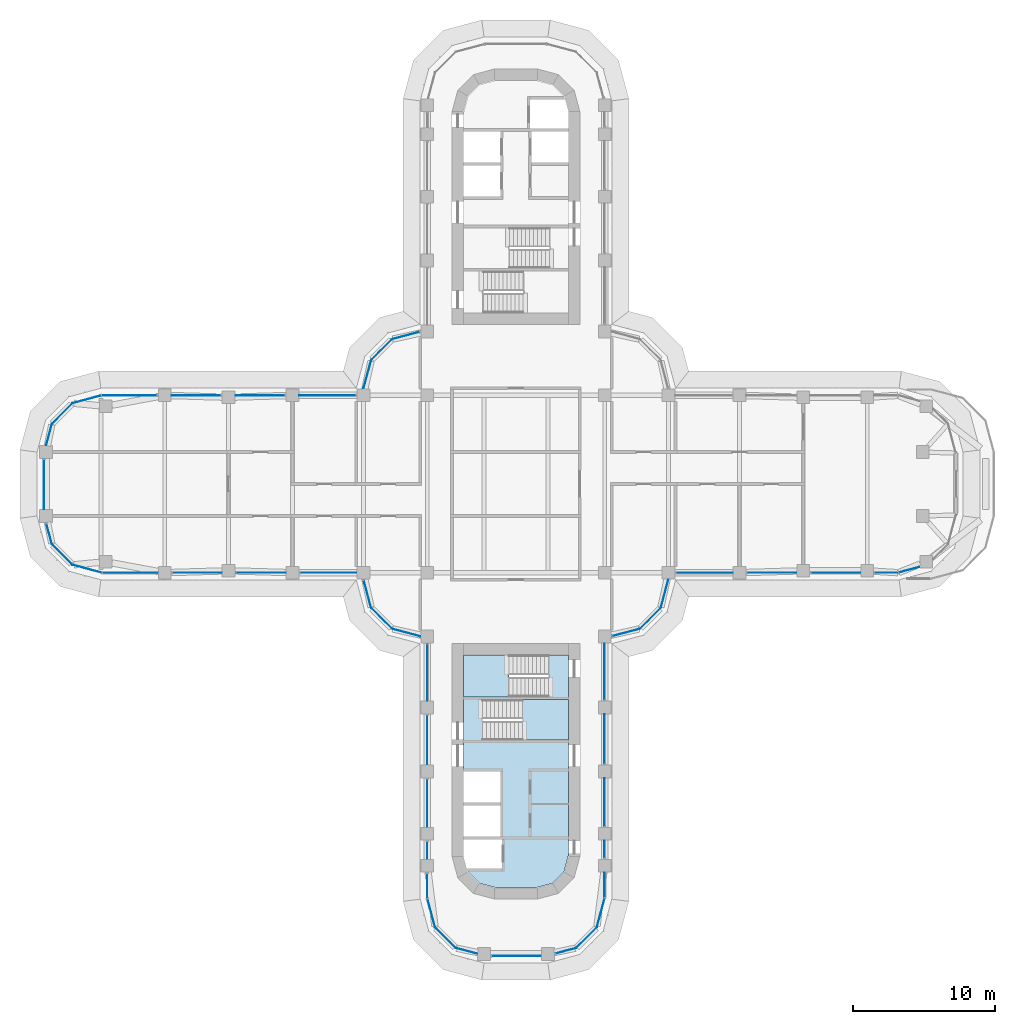
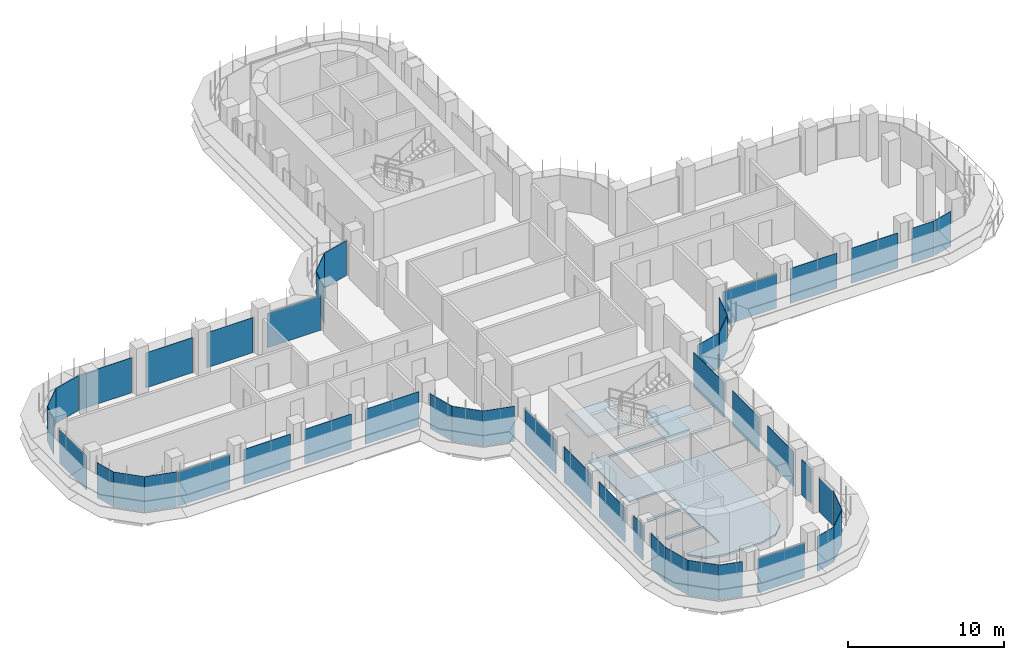
# One storey, part 12 of 22: 46 plates, 3 slabs, 31 elements without a shape of their own.
"""IFC4 building model written with IfcOpenShell, lengths in metres."""

from ifc_helpers import new_model, si_unit, direction, frame, origin, place, context, subcontext, project, spatial, polyline, outline, extrude, source, transform, mapped, material, layer, layer_set, type_object, element, aggregate, save


model = new_model("IFC4")

# Units and contexts
model_context = context("Model", 3, precision=1e-05, world=origin(), true_north=direction((0.0, 1.0)))
body_context = subcontext(model_context, "Body", "Model", "MODEL_VIEW")
ifc_project = project(units=[si_unit("LENGTHUNIT", "METRE"), si_unit("AREAUNIT", "SQUARE_METRE"), si_unit("VOLUMEUNIT", "CUBIC_METRE"), si_unit("PLANEANGLEUNIT", "RADIAN"), si_unit("MASSUNIT", "GRAM", prefix="KILO")], contexts=[model_context])

# Site, building, storey
site_placement = place(None, origin())
site = spatial("IfcSite", under=ifc_project, at=site_placement, CompositionType="ELEMENT")
building_placement = place(site_placement, origin())
building = spatial("IfcBuilding", under=site, at=building_placement, Name="Zarbagh Exchange Tower", CompositionType="ELEMENT")
storey_placement = place(building_placement, frame((0.0, 0.0, 124.60009765625)))
storey = spatial("IfcBuildingStorey", under=building, at=storey_placement, Name="L29", CompositionType="ELEMENT", Elevation=124.60009765625)

# Slab
ifc_material_1 = material(Name="Concrete C40/50", Category="concrete")
ifc_layer_1 = layer(ifc_material_1, 0.14990234375)
ifc_layer_set_1 = layer_set([ifc_layer_1], Name="Core floor slab 150 C40/50")
slab_type_1 = type_object("IfcSlabType", Name="Core floor slab 150 C40/50", PredefinedType="FLOOR", material=ifc_layer_set_1)
slab_1_placement = place(storey_placement, frame((0.0, 0.0, -0.150146484375)))
element("IfcSlab", 1, at=slab_1_placement, inside=storey, type_object=slab_type_1, Name="S17 core S", PredefinedType="FLOOR", context=body_context, shape_type="SweptSolid", body=[
    extrude(outline(polyline([(-2.5859375, -28.130859375), (-3.380859375, -27.3359375), (-3.646484375, -26.3447265625), (-3.444091796875, -27.10009765625), (-1.0, -27.10009765625), (-1.0, -25.050048828125), (-3.699951171875, -25.050048828125), (-3.699951171875, -24.85009765625), (-1.10009765625, -24.85009765625), (-1.10009765625, -22.64990234375), (-3.699951171875, -22.64990234375), (-3.699951171875, -22.449951171875), (-1.10009765625, -22.449951171875), (-1.10009765625, -20.25), (-3.699951171875, -20.25), (-3.699951171875, -15.0), (2.300048828125, -15.0), (2.300048828125, -12.050048828125), (3.699951171875, -12.050048828125), (3.699951171875, -15.199951171875), (-2.35009765625, -15.199951171875), (-2.35009765625, -18.050048828125), (3.699951171875, -18.050048828125), (3.699951171875, -26.144775390625), (3.380859375, -27.3359375), (2.5859375, -28.130859375), (1.394775390625, -28.449951171875), (-1.394775390625, -28.449951171875), (-2.5859375, -28.130859375)])), origin(), (0.0, 0.0, 1.0), 0.150146484375),
])

# Stair, slab
stair_type = type_object("IfcStairType", Name="Exit stair two-flight half-turn", PredefinedType="HALF_TURN_STAIR", material=ifc_material_1)
stair_1_placement = place(storey_placement, origin())
stair_1 = element("IfcStair", 2, at=stair_1_placement, inside=storey, type_object=stair_type, Name="exit stair ST3", PredefinedType="HALF_TURN_STAIR")
ifc_layer_2 = layer(ifc_material_1, 0.199951171875)
ifc_layer_set_2 = layer_set([ifc_layer_2], Name="Stair landing 200 mm")
slab_type_2 = type_object("IfcSlabType", Name="Stair landing 200 mm", PredefinedType="LANDING", material=ifc_layer_set_2)
slab_2_placement = place(storey_placement, frame((0.0, 0.0, 1.699951171875)))
slab_2 = element("IfcSlab", 3, at=slab_2_placement, type_object=slab_type_2, Name="ST3 landing 1", PredefinedType="LANDING", context=body_context, shape_type="SweptSolid", body=[
    extrude(outline(polyline([(0.449951171875, -18.050048828125), (3.699951171875, -18.050048828125), (3.699951171875, -15.199951171875), (0.449951171875, -15.199951171875), (0.449951171875, -18.050048828125)])), origin(), (0.0, 0.0, 1.0), 0.199951171875),
])
aggregate(stair_1, [slab_2])

stair_2_placement = place(storey_placement, origin())
stair_2 = element("IfcStair", 4, at=stair_2_placement, inside=storey, type_object=stair_type, Name="exit stair ST4", PredefinedType="HALF_TURN_STAIR")
slab_3_placement = place(storey_placement, frame((0.0, 0.0, 1.699951171875)))
slab_3 = element("IfcSlab", 5, at=slab_3_placement, type_object=slab_type_2, Name="ST4 landing 1", PredefinedType="LANDING", context=body_context, shape_type="SweptSolid", body=[
    extrude(outline(polyline([(-0.5, -12.050048828125), (-3.699951171875, -12.050048828125), (-3.699951171875, -15.0), (-0.5, -15.0), (-0.5, -12.050048828125)])), origin(), (0.0, 0.0, 1.0), 0.199951171875),
])
aggregate(stair_2, [slab_3])

# Curtain wall, plate
ifc_material_2 = material(Name="Anodised aluminium frame and glazing", Category="aluminium")
curtain_wall_type = type_object("IfcCurtainWallType", Name="CWA Ribbon glazing, lower zones", PredefinedType="NOTDEFINED", material=ifc_material_2)
curtain_wall_1_placement = place(storey_placement, origin())
curtain_wall_1 = element("IfcCurtainWall", 6, at=curtain_wall_1_placement, inside=storey, type_object=curtain_wall_type, Name="CWA01 curtain wall", PredefinedType="NOTDEFINED")
ifc_material_3 = material(Name="Low-e double glazed unit, 6+12+6 mm")
ifc_layer_3 = layer(ifc_material_3, 0.028076171875)
ifc_layer_set_3 = layer_set([ifc_layer_3], Name="PAA Glazing panel, Low-e double glazed unit, 6+12+6 mm")
plate_type = type_object("IfcPlateType", Name="PAA Glazing panel, Low-e double glazed unit, 6+12+6 mm", PredefinedType="CURTAIN_PANEL", material=ifc_layer_set_3)
shared_shape_1 = source(origin(), body_context, "Body", "SweptSolid", [
    extrude(outline(polyline([(0.0, -0.013916015625), (1.494140625, -0.013916015625), (1.494140625, 0.013916015625), (0.0, 0.013916015625), (0.0, -0.013916015625)])), origin(), (0.0, 0.0, 1.0), 2.75),
])
placement = place(storey_placement, origin())
plate_1 = element("IfcPlate", 7, at=placement, type_object=plate_type, Name="CWA01 glazing panel 1.1", PredefinedType="CURTAIN_PANEL", context=body_context, shape_type="MappedRepresentation", body=[
    mapped(shared_shape_1, transform((2.7978515625, -33.08544921875, 0.0), x_axis=(0.965924289636, 0.258824779902, 0.0), y_axis=(-0.258824779902, 0.965924289636, 0.0), z_axis=(0.0, 0.0, 1.0))),
])
aggregate(curtain_wall_1, [plate_1])

curtain_wall_2_placement = place(storey_placement, origin())
curtain_wall_2 = element("IfcCurtainWall", 8, at=curtain_wall_2_placement, inside=storey, type_object=curtain_wall_type, Name="CWA37 curtain wall", PredefinedType="NOTDEFINED")
plate_2 = element("IfcPlate", 9, at=placement, type_object=plate_type, Name="CWA37 glazing panel 1.1", PredefinedType="CURTAIN_PANEL", context=body_context, shape_type="MappedRepresentation", body=[
    mapped(shared_shape_1, transform((-33.08544921875, -2.7978515625, 0.0), x_axis=(0.258824779902, -0.965924289636, 0.0), y_axis=(0.965924289636, 0.258824779902, 0.0), z_axis=(0.0, 0.0, 1.0))),
])
aggregate(curtain_wall_2, [plate_2])

curtain_wall_3_placement = place(storey_placement, origin())
curtain_wall_3 = element("IfcCurtainWall", 10, at=curtain_wall_3_placement, inside=storey, type_object=curtain_wall_type, Name="CWA02 curtain wall", PredefinedType="NOTDEFINED")
shared_shape_2 = source(origin(), body_context, "Body", "SweptSolid", [
    extrude(outline(polyline([(0.0, -0.013916015625), (2.061279296875, -0.013916015625), (2.061279296875, 0.013916015625), (0.0, 0.013916015625), (0.0, -0.013916015625)])), origin(), (0.0, 0.0, 1.0), 2.75),
])
plate_3 = element("IfcPlate", 11, at=placement, type_object=plate_type, Name="CWA02 glazing panel 1.1", PredefinedType="CURTAIN_PANEL", context=body_context, shape_type="MappedRepresentation", body=[
    mapped(shared_shape_2, transform((4.2412109375, -32.69873046875, 0.0), x_axis=(0.707106781187, 0.707106781187, 0.0), y_axis=(-0.707106781187, 0.707106781187, 0.0), z_axis=(0.0, 0.0, 1.0))),
])
aggregate(curtain_wall_3, [plate_3])

curtain_wall_4_placement = place(storey_placement, origin())
curtain_wall_4 = element("IfcCurtainWall", 12, at=curtain_wall_4_placement, inside=storey, type_object=curtain_wall_type, Name="CWA06 curtain wall", PredefinedType="NOTDEFINED")
plate_4 = element("IfcPlate", 13, at=placement, type_object=plate_type, Name="CWA06 glazing panel 1.1", PredefinedType="CURTAIN_PANEL", context=body_context, shape_type="MappedRepresentation", body=[
    mapped(shared_shape_2, transform((8.7412109375, -10.19873046875, 0.0), x_axis=(0.707106781187, 0.707106781187, 0.0), y_axis=(-0.707106781187, 0.707106781187, 0.0), z_axis=(0.0, 0.0, 1.0))),
])
aggregate(curtain_wall_4, [plate_4])

curtain_wall_5_placement = place(storey_placement, origin())
curtain_wall_5 = element("IfcCurtainWall", 14, at=curtain_wall_5_placement, inside=storey, type_object=curtain_wall_type, Name="CWA30 curtain wall", PredefinedType="NOTDEFINED")
plate_5 = element("IfcPlate", 15, at=placement, type_object=plate_type, Name="CWA30 glazing panel 1.1", PredefinedType="CURTAIN_PANEL", context=body_context, shape_type="MappedRepresentation", body=[
    mapped(shared_shape_2, transform((-8.7412109375, 10.19873046875, 0.0), x_axis=(-0.707106781187, -0.707106781187, 0.0), y_axis=(0.707106781187, -0.707106781187, 0.0), z_axis=(0.0, 0.0, 1.0))),
])
aggregate(curtain_wall_5, [plate_5])

curtain_wall_6_placement = place(storey_placement, origin())
curtain_wall_6 = element("IfcCurtainWall", 16, at=curtain_wall_6_placement, inside=storey, type_object=curtain_wall_type, Name="CWA34 curtain wall", PredefinedType="NOTDEFINED")
plate_6 = element("IfcPlate", 17, at=placement, type_object=plate_type, Name="CWA34 glazing panel 1.1", PredefinedType="CURTAIN_PANEL", context=body_context, shape_type="MappedRepresentation", body=[
    mapped(shared_shape_2, transform((-31.2412109375, 5.69873046875, 0.0), x_axis=(-0.707106781187, -0.707106781187, 0.0), y_axis=(0.707106781187, -0.707106781187, 0.0), z_axis=(0.0, 0.0, 1.0))),
])
aggregate(curtain_wall_6, [plate_6])

curtain_wall_7_placement = place(storey_placement, origin())
curtain_wall_7 = element("IfcCurtainWall", 18, at=curtain_wall_7_placement, inside=storey, type_object=curtain_wall_type, Name="CWA38 curtain wall", PredefinedType="NOTDEFINED")
plate_7 = element("IfcPlate", 19, at=placement, type_object=plate_type, Name="CWA38 glazing panel 1.1", PredefinedType="CURTAIN_PANEL", context=body_context, shape_type="MappedRepresentation", body=[
    mapped(shared_shape_2, transform((-32.69873046875, -4.2412109375, 0.0), x_axis=(0.707106781187, -0.707106781187, 0.0), y_axis=(0.707106781187, 0.707106781187, 0.0), z_axis=(0.0, 0.0, 1.0))),
])
aggregate(curtain_wall_7, [plate_7])

curtain_wall_8_placement = place(storey_placement, origin())
curtain_wall_8 = element("IfcCurtainWall", 20, at=curtain_wall_8_placement, inside=storey, type_object=curtain_wall_type, Name="CWA42 curtain wall", PredefinedType="NOTDEFINED")
plate_8 = element("IfcPlate", 21, at=placement, type_object=plate_type, Name="CWA42 glazing panel 1.1", PredefinedType="CURTAIN_PANEL", context=body_context, shape_type="MappedRepresentation", body=[
    mapped(shared_shape_2, transform((-10.19873046875, -8.7412109375, 0.0), x_axis=(0.707106781187, -0.707106781187, 0.0), y_axis=(0.707106781187, 0.707106781187, 0.0), z_axis=(0.0, 0.0, 1.0))),
])
aggregate(curtain_wall_8, [plate_8])

curtain_wall_9_placement = place(storey_placement, origin())
curtain_wall_9 = element("IfcCurtainWall", 22, at=curtain_wall_9_placement, inside=storey, type_object=curtain_wall_type, Name="CWA46 curtain wall", PredefinedType="NOTDEFINED")
plate_9 = element("IfcPlate", 23, at=placement, type_object=plate_type, Name="CWA46 glazing panel 1.1", PredefinedType="CURTAIN_PANEL", context=body_context, shape_type="MappedRepresentation", body=[
    mapped(shared_shape_2, transform((-5.69873046875, -31.2412109375, 0.0), x_axis=(0.707106781187, -0.707106781187, 0.0), y_axis=(0.707106781187, 0.707106781187, 0.0), z_axis=(0.0, 0.0, 1.0))),
])
aggregate(curtain_wall_9, [plate_9])

curtain_wall_10_placement = place(storey_placement, origin())
curtain_wall_10 = element("IfcCurtainWall", 24, at=curtain_wall_10_placement, inside=storey, type_object=curtain_wall_type, Name="CWA03 curtain wall", PredefinedType="NOTDEFINED")
shared_shape_3 = source(origin(), body_context, "Body", "SweptSolid", [
    extrude(outline(polyline([(0.0, -0.013916015625), (2.129638671875, -0.013916015625), (2.129638671875, 0.013916015625), (0.0, 0.013916015625), (0.0, -0.013916015625)])), origin(), (0.0, 0.0, 1.0), 2.75),
])
plate_10 = element("IfcPlate", 25, at=placement, type_object=plate_type, Name="CWA03 glazing panel 1.1", PredefinedType="CURTAIN_PANEL", context=body_context, shape_type="MappedRepresentation", body=[
    mapped(shared_shape_3, transform((5.69873046875, -31.2412109375, 0.0), x_axis=(0.258824779902, 0.965924289636, 0.0), y_axis=(-0.965924289636, 0.258824779902, 0.0), z_axis=(0.0, 0.0, 1.0))),
])
aggregate(curtain_wall_10, [plate_10])

curtain_wall_11_placement = place(storey_placement, origin())
curtain_wall_11 = element("IfcCurtainWall", 26, at=curtain_wall_11_placement, inside=storey, type_object=curtain_wall_type, Name="CWA39 curtain wall", PredefinedType="NOTDEFINED")
plate_11 = element("IfcPlate", 27, at=placement, type_object=plate_type, Name="CWA39 glazing panel 1.1", PredefinedType="CURTAIN_PANEL", context=body_context, shape_type="MappedRepresentation", body=[
    mapped(shared_shape_3, transform((-31.2412109375, -5.69873046875, 0.0), x_axis=(0.965924289636, -0.258824779902, 0.0), y_axis=(0.258824779902, 0.965924289636, 0.0), z_axis=(0.0, 0.0, 1.0))),
])
aggregate(curtain_wall_11, [plate_11])

# Curtain wall, plates
curtain_wall_12_placement = place(storey_placement, origin())
curtain_wall_12 = element("IfcCurtainWall", 28, at=curtain_wall_12_placement, inside=storey, type_object=curtain_wall_type, Name="CWA04 curtain wall", PredefinedType="NOTDEFINED")
shared_shape_4 = source(origin(), body_context, "Body", "SweptSolid", [
    extrude(outline(polyline([(0.0, -0.013916015625), (1.734130859375, -0.013916015625), (1.734130859375, 0.013916015625), (0.0, 0.013916015625), (0.0, -0.013916015625)])), origin(), (0.0, 0.0, 1.0), 2.68994140625),
])
plate_12 = element("IfcPlate", 29, at=placement, type_object=plate_type, Name="CWA04 glazing panel 1.1", PredefinedType="CURTAIN_PANEL", context=body_context, shape_type="MappedRepresentation", body=[
    mapped(shared_shape_4, transform((6.25, -29.124267578125, 0.0), x_axis=(0.0, 1.0, 0.0), y_axis=(-1.0, 0.0, 0.0), z_axis=(0.0, 0.0, 1.0))),
])
shared_shape_5 = source(origin(), body_context, "Body", "SweptSolid", [
    extrude(outline(polyline([(0.0, -0.013916015625), (1.2099609375, -0.013916015625), (1.2099609375, 0.013916015625), (0.0, 0.013916015625), (0.0, -0.013916015625)])), origin(), (0.0, 0.0, 1.0), 2.75),
])
plate_13 = element("IfcPlate", 30, at=placement, type_object=plate_type, Name="CWA04 glazing panel 2.1", PredefinedType="CURTAIN_PANEL", context=body_context, shape_type="MappedRepresentation", body=[
    mapped(shared_shape_5, transform((6.25, -26.349853515625, 0.0), x_axis=(0.0, 1.0, 0.0), y_axis=(-1.0, 0.0, 0.0), z_axis=(0.0, 0.0, 1.0))),
])

# Curtain wall, plate
curtain_wall_13_placement = place(storey_placement, origin())
curtain_wall_13 = element("IfcCurtainWall", 31, at=curtain_wall_13_placement, inside=storey, type_object=curtain_wall_type, Name="CWA44 curtain wall", PredefinedType="NOTDEFINED")
plate_14 = element("IfcPlate", 32, at=placement, type_object=plate_type, Name="CWA44 glazing panel 4.1", PredefinedType="CURTAIN_PANEL", context=body_context, shape_type="MappedRepresentation", body=[
    mapped(shared_shape_5, transform((-6.25, -25.199951171875, 0.0), x_axis=(0.0, -1.0, 0.0), y_axis=(1.0, 0.0, 0.0), z_axis=(0.0, 0.0, 1.0))),
])

# Plate
shared_shape_6 = source(origin(), body_context, "Body", "SweptSolid", [
    extrude(outline(polyline([(0.0, -0.013916015625), (3.360107421875, -0.013916015625), (3.360107421875, 0.013916015625), (0.0, 0.013916015625), (0.0, -0.013916015625)])), origin(), (0.0, 0.0, 1.0), 2.75),
])
plate_15 = element("IfcPlate", 33, at=placement, type_object=plate_type, Name="CWA04 glazing panel 3.1", PredefinedType="CURTAIN_PANEL", context=body_context, shape_type="MappedRepresentation", body=[
    mapped(shared_shape_6, transform((6.25, -24.099853515625, 0.0), x_axis=(0.0, 1.0, 0.0), y_axis=(-1.0, 0.0, 0.0), z_axis=(0.0, 0.0, 1.0))),
])

plate_16 = element("IfcPlate", 34, at=placement, type_object=plate_type, Name="CWA44 glazing panel 3.1", PredefinedType="CURTAIN_PANEL", context=body_context, shape_type="MappedRepresentation", body=[
    mapped(shared_shape_6, transform((-6.25, -20.800048828125, 0.0), x_axis=(0.0, -1.0, 0.0), y_axis=(1.0, 0.0, 0.0), z_axis=(0.0, 0.0, 1.0))),
])

shared_shape_7 = source(origin(), body_context, "Body", "SweptSolid", [
    extrude(outline(polyline([(0.0, -0.013916015625), (3.4599609375, -0.013916015625), (3.4599609375, 0.013916015625), (0.0, 0.013916015625), (0.0, -0.013916015625)])), origin(), (0.0, 0.0, 1.0), 2.75),
])
plate_17 = element("IfcPlate", 35, at=placement, type_object=plate_type, Name="CWA04 glazing panel 4.1", PredefinedType="CURTAIN_PANEL", context=body_context, shape_type="MappedRepresentation", body=[
    mapped(shared_shape_7, transform((6.25, -19.699951171875, 0.0), x_axis=(0.0, 1.0, 0.0), y_axis=(-1.0, 0.0, 0.0), z_axis=(0.0, 0.0, 1.0))),
])

# Curtain wall, plates
curtain_wall_14_placement = place(storey_placement, origin())
curtain_wall_14 = element("IfcCurtainWall", 36, at=curtain_wall_14_placement, inside=storey, type_object=curtain_wall_type, Name="CWA58 curtain wall", PredefinedType="NOTDEFINED")
plate_18 = element("IfcPlate", 37, at=placement, type_object=plate_type, Name="CWA58 glazing panel 2.1", PredefinedType="CURTAIN_PANEL", context=body_context, shape_type="MappedRepresentation", body=[
    mapped(shared_shape_7, transform((16.300048828125, -6.25, 0.0), x_axis=(1.0, 0.0, 0.0), y_axis=(0.0, 1.0, 0.0), z_axis=(0.0, 0.0, 1.0))),
])
plate_19 = element("IfcPlate", 38, at=placement, type_object=plate_type, Name="CWA58 glazing panel 3.1", PredefinedType="CURTAIN_PANEL", context=body_context, shape_type="MappedRepresentation", body=[
    mapped(shared_shape_7, transform((20.800048828125, -6.25, 0.0), x_axis=(1.0, 0.0, 0.0), y_axis=(0.0, 1.0, 0.0), z_axis=(0.0, 0.0, 1.0))),
])

curtain_wall_15_placement = place(storey_placement, origin())
curtain_wall_15 = element("IfcCurtainWall", 39, at=curtain_wall_15_placement, inside=storey, type_object=curtain_wall_type, Name="CWA32 curtain wall", PredefinedType="NOTDEFINED")
plate_20 = element("IfcPlate", 40, at=placement, type_object=plate_type, Name="CWA32 glazing panel 2.1", PredefinedType="CURTAIN_PANEL", context=body_context, shape_type="MappedRepresentation", body=[
    mapped(shared_shape_7, transform((-16.300048828125, 6.25, 0.0), x_axis=(-1.0, 0.0, 0.0), y_axis=(0.0, -1.0, 0.0), z_axis=(0.0, 0.0, 1.0))),
])
plate_21 = element("IfcPlate", 41, at=placement, type_object=plate_type, Name="CWA32 glazing panel 3.1", PredefinedType="CURTAIN_PANEL", context=body_context, shape_type="MappedRepresentation", body=[
    mapped(shared_shape_7, transform((-20.800048828125, 6.25, 0.0), x_axis=(-1.0, 0.0, 0.0), y_axis=(0.0, -1.0, 0.0), z_axis=(0.0, 0.0, 1.0))),
])

curtain_wall_16_placement = place(storey_placement, origin())
curtain_wall_16 = element("IfcCurtainWall", 42, at=curtain_wall_16_placement, inside=storey, type_object=curtain_wall_type, Name="CWA40 curtain wall", PredefinedType="NOTDEFINED")
plate_22 = element("IfcPlate", 43, at=placement, type_object=plate_type, Name="CWA40 glazing panel 2.1", PredefinedType="CURTAIN_PANEL", context=body_context, shape_type="MappedRepresentation", body=[
    mapped(shared_shape_7, transform((-24.199951171875, -6.25, 0.0), x_axis=(1.0, 0.0, 0.0), y_axis=(0.0, 1.0, 0.0), z_axis=(0.0, 0.0, 1.0))),
])
plate_23 = element("IfcPlate", 44, at=placement, type_object=plate_type, Name="CWA40 glazing panel 3.1", PredefinedType="CURTAIN_PANEL", context=body_context, shape_type="MappedRepresentation", body=[
    mapped(shared_shape_7, transform((-19.699951171875, -6.25, 0.0), x_axis=(1.0, 0.0, 0.0), y_axis=(0.0, 1.0, 0.0), z_axis=(0.0, 0.0, 1.0))),
])

# Plate
plate_24 = element("IfcPlate", 45, at=placement, type_object=plate_type, Name="CWA44 glazing panel 2.1", PredefinedType="CURTAIN_PANEL", context=body_context, shape_type="MappedRepresentation", body=[
    mapped(shared_shape_7, transform((-6.25, -16.300048828125, 0.0), x_axis=(0.0, -1.0, 0.0), y_axis=(1.0, 0.0, 0.0), z_axis=(0.0, 0.0, 1.0))),
])

shared_shape_8 = source(origin(), body_context, "Body", "SweptSolid", [
    extrude(outline(polyline([(0.0, -0.013916015625), (3.9599609375, -0.013916015625), (3.9599609375, 0.013916015625), (0.0, 0.013916015625), (0.0, -0.013916015625)])), origin(), (0.0, 0.0, 1.0), 2.75),
])
plate_25 = element("IfcPlate", 46, at=placement, type_object=plate_type, Name="CWA04 glazing panel 5.1", PredefinedType="CURTAIN_PANEL", context=body_context, shape_type="MappedRepresentation", body=[
    mapped(shared_shape_8, transform((6.25, -15.199951171875, 0.0), x_axis=(0.0, 1.0, 0.0), y_axis=(-1.0, 0.0, 0.0), z_axis=(0.0, 0.0, 1.0))),
])

aggregate(curtain_wall_12, [plate_12, plate_13, plate_15, plate_17, plate_25])

plate_26 = element("IfcPlate", 47, at=placement, type_object=plate_type, Name="CWA40 glazing panel 4.1", PredefinedType="CURTAIN_PANEL", context=body_context, shape_type="MappedRepresentation", body=[
    mapped(shared_shape_8, transform((-15.199951171875, -6.25, 0.0), x_axis=(1.0, 0.0, 0.0), y_axis=(0.0, 1.0, 0.0), z_axis=(0.0, 0.0, 1.0))),
])

# Curtain wall, plate
curtain_wall_17_placement = place(storey_placement, origin())
curtain_wall_17 = element("IfcCurtainWall", 48, at=curtain_wall_17_placement, inside=storey, type_object=curtain_wall_type, Name="CWA05 curtain wall", PredefinedType="NOTDEFINED")
shared_shape_9 = source(origin(), body_context, "Body", "SweptSolid", [
    extrude(outline(polyline([(0.0, -0.013916015625), (2.01171875, -0.013916015625), (2.01171875, 0.013916015625), (0.0, 0.013916015625), (0.0, -0.013916015625)])), origin(), (0.0, 0.0, 1.0), 2.75),
])
plate_27 = element("IfcPlate", 49, at=placement, type_object=plate_type, Name="CWA05 glazing panel 1.1", PredefinedType="CURTAIN_PANEL", context=body_context, shape_type="MappedRepresentation", body=[
    mapped(shared_shape_9, transform((6.7978515625, -10.719482421875, 0.0), x_axis=(0.965924289636, 0.258824779902, 0.0), y_axis=(-0.258824779902, 0.965924289636, 0.0), z_axis=(0.0, 0.0, 1.0))),
])
aggregate(curtain_wall_17, [plate_27])

curtain_wall_18_placement = place(storey_placement, origin())
curtain_wall_18 = element("IfcCurtainWall", 50, at=curtain_wall_18_placement, inside=storey, type_object=curtain_wall_type, Name="CWA29 curtain wall", PredefinedType="NOTDEFINED")
plate_28 = element("IfcPlate", 51, at=placement, type_object=plate_type, Name="CWA29 glazing panel 1.1", PredefinedType="CURTAIN_PANEL", context=body_context, shape_type="MappedRepresentation", body=[
    mapped(shared_shape_9, transform((-6.7978515625, 10.719482421875, 0.0), x_axis=(-0.965924289636, -0.258824779902, 0.0), y_axis=(0.258824779902, -0.965924289636, 0.0), z_axis=(0.0, 0.0, 1.0))),
])
aggregate(curtain_wall_18, [plate_28])

curtain_wall_19_placement = place(storey_placement, origin())
curtain_wall_19 = element("IfcCurtainWall", 52, at=curtain_wall_19_placement, inside=storey, type_object=curtain_wall_type, Name="CWA41 curtain wall", PredefinedType="NOTDEFINED")
plate_29 = element("IfcPlate", 53, at=placement, type_object=plate_type, Name="CWA41 glazing panel 1.1", PredefinedType="CURTAIN_PANEL", context=body_context, shape_type="MappedRepresentation", body=[
    mapped(shared_shape_9, transform((-10.719482421875, -6.7978515625, 0.0), x_axis=(0.258824779902, -0.965924289636, 0.0), y_axis=(0.965924289636, 0.258824779902, 0.0), z_axis=(0.0, 0.0, 1.0))),
])
aggregate(curtain_wall_19, [plate_29])

curtain_wall_20_placement = place(storey_placement, origin())
curtain_wall_20 = element("IfcCurtainWall", 54, at=curtain_wall_20_placement, inside=storey, type_object=curtain_wall_type, Name="CWA07 curtain wall", PredefinedType="NOTDEFINED")
shared_shape_10 = source(origin(), body_context, "Body", "SweptSolid", [
    extrude(outline(polyline([(0.0, -0.013916015625), (2.07177734375, -0.013916015625), (2.07177734375, 0.013916015625), (0.0, 0.013916015625), (0.0, -0.013916015625)])), origin(), (0.0, 0.0, 1.0), 2.75),
])
plate_30 = element("IfcPlate", 55, at=placement, type_object=plate_type, Name="CWA07 glazing panel 1.1", PredefinedType="CURTAIN_PANEL", context=body_context, shape_type="MappedRepresentation", body=[
    mapped(shared_shape_10, transform((10.19873046875, -8.7412109375, 0.0), x_axis=(0.258824779902, 0.965924289636, 0.0), y_axis=(-0.965924289636, 0.258824779902, 0.0), z_axis=(0.0, 0.0, 1.0))),
])
aggregate(curtain_wall_20, [plate_30])

curtain_wall_21_placement = place(storey_placement, origin())
curtain_wall_21 = element("IfcCurtainWall", 56, at=curtain_wall_21_placement, inside=storey, type_object=curtain_wall_type, Name="CWA31 curtain wall", PredefinedType="NOTDEFINED")
plate_31 = element("IfcPlate", 57, at=placement, type_object=plate_type, Name="CWA31 glazing panel 1.1", PredefinedType="CURTAIN_PANEL", context=body_context, shape_type="MappedRepresentation", body=[
    mapped(shared_shape_10, transform((-10.19873046875, 8.7412109375, 0.0), x_axis=(-0.258824779902, -0.965924289636, 0.0), y_axis=(0.965924289636, -0.258824779902, 0.0), z_axis=(0.0, 0.0, 1.0))),
])
aggregate(curtain_wall_21, [plate_31])

curtain_wall_22_placement = place(storey_placement, origin())
curtain_wall_22 = element("IfcCurtainWall", 58, at=curtain_wall_22_placement, inside=storey, type_object=curtain_wall_type, Name="CWA43 curtain wall", PredefinedType="NOTDEFINED")
plate_32 = element("IfcPlate", 59, at=placement, type_object=plate_type, Name="CWA43 glazing panel 1.1", PredefinedType="CURTAIN_PANEL", context=body_context, shape_type="MappedRepresentation", body=[
    mapped(shared_shape_10, transform((-8.7412109375, -10.19873046875, 0.0), x_axis=(0.965924289636, -0.258824779902, 0.0), y_axis=(0.258824779902, 0.965924289636, 0.0), z_axis=(0.0, 0.0, 1.0))),
])
aggregate(curtain_wall_22, [plate_32])

# Plate
shared_shape_11 = source(origin(), body_context, "Body", "SweptSolid", [
    extrude(outline(polyline([(0.0, -0.013916015625), (3.9599609375, -0.013916015625), (3.9599609375, 0.013916015625), (0.0, 0.013916015625), (0.0, -0.013916015625)])), origin(), (0.0, 0.0, 1.0), 2.68994140625),
])
plate_33 = element("IfcPlate", 60, at=placement, type_object=plate_type, Name="CWA58 glazing panel 1.1", PredefinedType="CURTAIN_PANEL", context=body_context, shape_type="MappedRepresentation", body=[
    mapped(shared_shape_11, transform((11.300048828125, -6.25, 0.0), x_axis=(1.0, 0.0, 0.0), y_axis=(0.0, 1.0, 0.0), z_axis=(0.0, 0.0, 1.0))),
])

plate_34 = element("IfcPlate", 61, at=placement, type_object=plate_type, Name="CWA32 glazing panel 1.1", PredefinedType="CURTAIN_PANEL", context=body_context, shape_type="MappedRepresentation", body=[
    mapped(shared_shape_11, transform((-11.300048828125, 6.25, 0.0), x_axis=(-1.0, 0.0, 0.0), y_axis=(0.0, -1.0, 0.0), z_axis=(0.0, 0.0, 1.0))),
])

plate_35 = element("IfcPlate", 62, at=placement, type_object=plate_type, Name="CWA44 glazing panel 1.1", PredefinedType="CURTAIN_PANEL", context=body_context, shape_type="MappedRepresentation", body=[
    mapped(shared_shape_11, transform((-6.25, -11.300048828125, 0.0), x_axis=(0.0, -1.0, 0.0), y_axis=(1.0, 0.0, 0.0), z_axis=(0.0, 0.0, 1.0))),
])

shared_shape_12 = source(origin(), body_context, "Body", "SweptSolid", [
    extrude(outline(polyline([(0.0, -0.013916015625), (3.884033203125, -0.013916015625), (3.884033203125, 0.013916015625), (0.0, 0.013916015625), (0.0, -0.013916015625)])), origin(), (0.0, 0.0, 1.0), 2.75),
])
plate_36 = element("IfcPlate", 63, at=placement, type_object=plate_type, Name="CWA32 glazing panel 4.1", PredefinedType="CURTAIN_PANEL", context=body_context, shape_type="MappedRepresentation", body=[
    mapped(shared_shape_12, transform((-25.300048828125, 6.25, 0.0), x_axis=(-1.0, 0.0, 0.0), y_axis=(0.0, -1.0, 0.0), z_axis=(0.0, 0.0, 1.0))),
])

aggregate(curtain_wall_15, [plate_34, plate_20, plate_21, plate_36])

# Curtain wall, plate
curtain_wall_23_placement = place(storey_placement, origin())
curtain_wall_23 = element("IfcCurtainWall", 64, at=curtain_wall_23_placement, inside=storey, type_object=curtain_wall_type, Name="CWA33 curtain wall", PredefinedType="NOTDEFINED")
shared_shape_13 = source(origin(), body_context, "Body", "SweptSolid", [
    extrude(outline(polyline([(0.0, -0.013916015625), (2.069580078125, -0.013916015625), (2.069580078125, 0.013916015625), (0.0, 0.013916015625), (0.0, -0.013916015625)])), origin(), (0.0, 0.0, 1.0), 2.75),
])
plate_37 = element("IfcPlate", 65, at=placement, type_object=plate_type, Name="CWA33 glazing panel 1.1", PredefinedType="CURTAIN_PANEL", context=body_context, shape_type="MappedRepresentation", body=[
    mapped(shared_shape_13, transform((-29.2421875, 6.234375, 0.0), x_axis=(-0.965924289636, -0.258824779902, 0.0), y_axis=(0.258824779902, -0.965924289636, 0.0), z_axis=(0.0, 0.0, 1.0))),
])
aggregate(curtain_wall_23, [plate_37])

curtain_wall_24_placement = place(storey_placement, origin())
curtain_wall_24 = element("IfcCurtainWall", 66, at=curtain_wall_24_placement, inside=storey, type_object=curtain_wall_type, Name="CWA45 curtain wall", PredefinedType="NOTDEFINED")
plate_38 = element("IfcPlate", 67, at=placement, type_object=plate_type, Name="CWA45 glazing panel 1.1", PredefinedType="CURTAIN_PANEL", context=body_context, shape_type="MappedRepresentation", body=[
    mapped(shared_shape_13, transform((-6.234375, -29.2421875, 0.0), x_axis=(0.258824779902, -0.965924289636, 0.0), y_axis=(0.965924289636, 0.258824779902, 0.0), z_axis=(0.0, 0.0, 1.0))),
])
aggregate(curtain_wall_24, [plate_38])

curtain_wall_25_placement = place(storey_placement, origin())
curtain_wall_25 = element("IfcCurtainWall", 68, at=curtain_wall_25_placement, inside=storey, type_object=curtain_wall_type, Name="CWA35 curtain wall", PredefinedType="NOTDEFINED")
shared_shape_14 = source(origin(), body_context, "Body", "SweptSolid", [
    extrude(outline(polyline([(0.0, -0.013916015625), (1.55419921875, -0.013916015625), (1.55419921875, 0.013916015625), (0.0, 0.013916015625), (0.0, -0.013916015625)])), origin(), (0.0, 0.0, 1.0), 2.75),
])
plate_39 = element("IfcPlate", 69, at=placement, type_object=plate_type, Name="CWA35 glazing panel 1.1", PredefinedType="CURTAIN_PANEL", context=body_context, shape_type="MappedRepresentation", body=[
    mapped(shared_shape_14, transform((-32.69873046875, 4.2412109375, 0.0), x_axis=(-0.258824779902, -0.965924289636, 0.0), y_axis=(0.965924289636, -0.258824779902, 0.0), z_axis=(0.0, 0.0, 1.0))),
])
aggregate(curtain_wall_25, [plate_39])

curtain_wall_26_placement = place(storey_placement, origin())
curtain_wall_26 = element("IfcCurtainWall", 70, at=curtain_wall_26_placement, inside=storey, type_object=curtain_wall_type, Name="CWA47 curtain wall", PredefinedType="NOTDEFINED")
plate_40 = element("IfcPlate", 71, at=placement, type_object=plate_type, Name="CWA47 glazing panel 1.1", PredefinedType="CURTAIN_PANEL", context=body_context, shape_type="MappedRepresentation", body=[
    mapped(shared_shape_14, transform((-4.2412109375, -32.69873046875, 0.0), x_axis=(0.965924289636, -0.258824779902, 0.0), y_axis=(0.258824779902, 0.965924289636, 0.0), z_axis=(0.0, 0.0, 1.0))),
])
aggregate(curtain_wall_26, [plate_40])

curtain_wall_27_placement = place(storey_placement, origin())
curtain_wall_27 = element("IfcCurtainWall", 72, at=curtain_wall_27_placement, inside=storey, type_object=curtain_wall_type, Name="CWA36 curtain wall", PredefinedType="NOTDEFINED")
shared_shape_15 = source(origin(), body_context, "Body", "SweptSolid", [
    extrude(outline(polyline([(0.0, -0.013916015625), (3.4599609375, -0.013916015625), (3.4599609375, 0.013916015625), (0.0, 0.013916015625), (0.0, -0.013916015625)])), origin(), (0.0, 0.0, 1.0), 2.68994140625),
])
plate_41 = element("IfcPlate", 73, at=placement, type_object=plate_type, Name="CWA36 glazing panel 1.1", PredefinedType="CURTAIN_PANEL", context=body_context, shape_type="MappedRepresentation", body=[
    mapped(shared_shape_15, transform((-33.25, 1.699951171875, 0.0), x_axis=(0.0, -1.0, 0.0), y_axis=(1.0, 0.0, 0.0), z_axis=(0.0, 0.0, 1.0))),
])
aggregate(curtain_wall_27, [plate_41])

curtain_wall_28_placement = place(storey_placement, origin())
curtain_wall_28 = element("IfcCurtainWall", 74, at=curtain_wall_28_placement, inside=storey, type_object=curtain_wall_type, Name="CWA48 curtain wall", PredefinedType="NOTDEFINED")
plate_42 = element("IfcPlate", 75, at=placement, type_object=plate_type, Name="CWA48 glazing panel 1.1", PredefinedType="CURTAIN_PANEL", context=body_context, shape_type="MappedRepresentation", body=[
    mapped(shared_shape_15, transform((-1.699951171875, -33.25, 0.0), x_axis=(1.0, 0.0, 0.0), y_axis=(0.0, 1.0, 0.0), z_axis=(0.0, 0.0, 1.0))),
])
aggregate(curtain_wall_28, [plate_42])

# Plate
shared_shape_16 = source(origin(), body_context, "Body", "SweptSolid", [
    extrude(outline(polyline([(0.0, -0.013916015625), (3.88427734375, -0.013916015625), (3.88427734375, 0.013916015625), (0.0, 0.013916015625), (0.0, -0.013916015625)])), origin(), (0.0, 0.0, 1.0), 2.68994140625),
])
plate_43 = element("IfcPlate", 76, at=placement, type_object=plate_type, Name="CWA40 glazing panel 1.1", PredefinedType="CURTAIN_PANEL", context=body_context, shape_type="MappedRepresentation", body=[
    mapped(shared_shape_16, transform((-29.124267578125, -6.25, 0.0), x_axis=(1.0, 0.0, 0.0), y_axis=(0.0, 1.0, 0.0), z_axis=(0.0, 0.0, 1.0))),
])

aggregate(curtain_wall_16, [plate_43, plate_22, plate_23, plate_26])

shared_shape_17 = source(origin(), body_context, "Body", "SweptSolid", [
    extrude(outline(polyline([(0.0, -0.013916015625), (1.734130859375, -0.013916015625), (1.734130859375, 0.013916015625), (0.0, 0.013916015625), (0.0, -0.013916015625)])), origin(), (0.0, 0.0, 1.0), 2.75),
])
plate_44 = element("IfcPlate", 77, at=placement, type_object=plate_type, Name="CWA44 glazing panel 5.1", PredefinedType="CURTAIN_PANEL", context=body_context, shape_type="MappedRepresentation", body=[
    mapped(shared_shape_17, transform((-6.25, -27.449951171875, 0.0), x_axis=(0.0, -1.0, 0.0), y_axis=(1.0, 0.0, 0.0), z_axis=(0.0, 0.0, 1.0))),
])

aggregate(curtain_wall_13, [plate_35, plate_24, plate_16, plate_14, plate_44])

shared_shape_18 = source(origin(), body_context, "Body", "SweptSolid", [
    extrude(outline(polyline([(0.0, -0.013916015625), (1.634033203125, -0.013916015625), (1.634033203125, 0.013916015625), (0.0, 0.013916015625), (0.0, -0.013916015625)])), origin(), (0.0, 0.0, 1.0), 2.75),
])
plate_45 = element("IfcPlate", 78, at=placement, type_object=plate_type, Name="CWA58 glazing panel 4.1", PredefinedType="CURTAIN_PANEL", context=body_context, shape_type="MappedRepresentation", body=[
    mapped(shared_shape_18, transform((25.300048828125, -6.25, 0.0), x_axis=(1.0, 0.0, 0.0), y_axis=(0.0, 1.0, 0.0), z_axis=(0.0, 0.0, 1.0))),
])

aggregate(curtain_wall_14, [plate_33, plate_18, plate_19, plate_45])

# Curtain wall, plate
curtain_wall_29_placement = place(storey_placement, origin())
curtain_wall_29 = element("IfcCurtainWall", 79, at=curtain_wall_29_placement, inside=storey, type_object=curtain_wall_type, Name="CWA59 curtain wall", PredefinedType="NOTDEFINED")
shared_shape_19 = source(origin(), body_context, "Body", "SweptSolid", [
    extrude(outline(polyline([(0.0, -0.013916015625), (1.476318359375, -0.013916015625), (1.476318359375, 0.013916015625), (0.0, 0.013916015625), (0.0, -0.013916015625)])), origin(), (0.0, 0.0, 1.0), 2.75),
])
plate_46 = element("IfcPlate", 80, at=placement, type_object=plate_type, Name="CWA59 glazing panel 1.1", PredefinedType="CURTAIN_PANEL", context=body_context, shape_type="MappedRepresentation", body=[
    mapped(shared_shape_19, transform((26.9921875, -6.234375, 0.0), x_axis=(0.965924289636, 0.258824779902, 0.0), y_axis=(-0.258824779902, 0.965924289636, 0.0), z_axis=(0.0, 0.0, 1.0))),
])
aggregate(curtain_wall_29, [plate_46])

save(model, "model.ifc")
